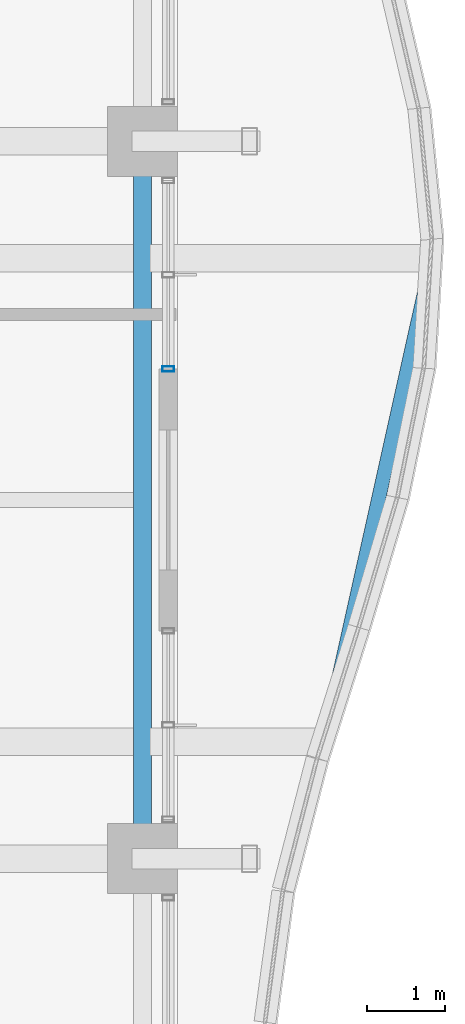
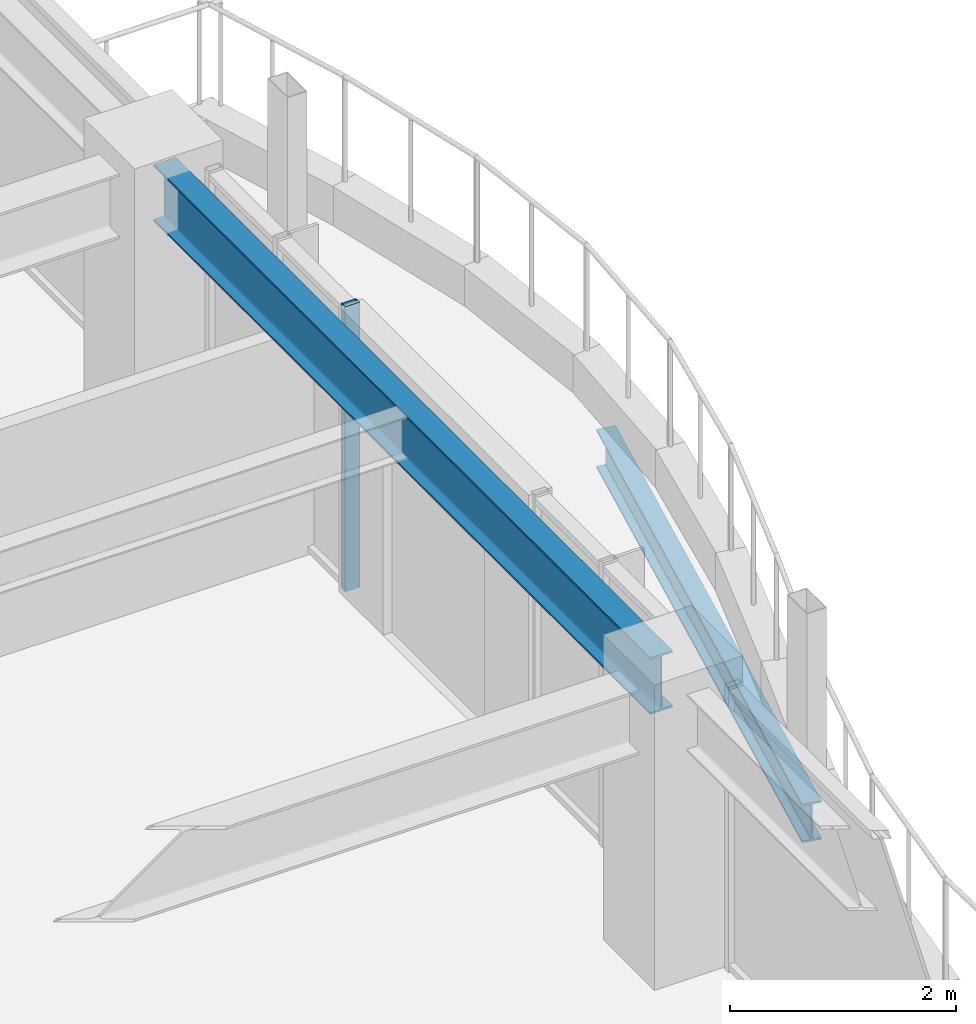
# One storey, part 14 of 35: 2 beams, 1 member, 1 element without a shape of its own.
"""IFC4 building model written with IfcOpenShell, lengths in metres."""

from ifc_helpers import new_model, si_unit, direction, frame, origin, origin_2d, place, context, subcontext, project, spatial, hollow_rectangle, i_section, extrude, material, material_profile, profile_set, type_object, element, aggregate, save


model = new_model("IFC4")

# Units and contexts
model_context = context("Model", 3, precision=1e-05, world=origin(), true_north=direction((0.0, 1.0)))
body_context = subcontext(model_context, "Body", "Model", "MODEL_VIEW")
ifc_project = project(units=[si_unit("LENGTHUNIT", "METRE"), si_unit("AREAUNIT", "SQUARE_METRE"), si_unit("VOLUMEUNIT", "CUBIC_METRE"), si_unit("PLANEANGLEUNIT", "RADIAN"), si_unit("MASSUNIT", "GRAM", prefix="KILO")], contexts=[model_context])

# Site, building, storey
site_placement = place(None, origin())
site = spatial("IfcSite", under=ifc_project, at=site_placement, CompositionType="ELEMENT")
building_placement = place(site_placement, origin())
building = spatial("IfcBuilding", under=site, at=building_placement, Name="Kolvaren Belvedere", CompositionType="ELEMENT")
storey_placement = place(building_placement, frame((0.0, 0.0, 176.699951171875)))
storey = spatial("IfcBuildingStorey", under=building, at=storey_placement, Name="L51", CompositionType="ELEMENT", Elevation=176.699951171875)

# Beams
ifc_material_1 = material(Name="Structural steel ASTM A992 Grade 50", Category="steel")
ifc_material_profile_1 = material_profile(ifc_material_1, i_section(OverallWidth=0.180908203125, OverallDepth=0.4169921875, WebThickness=0.010986328125, FlangeThickness=0.018310546875, FilletRadius=0.013916015625, at=origin_2d()), Name="W16X57")
ifc_profile_set_1 = profile_set([ifc_material_profile_1], Name="Structural steel ASTM A992 Grade 50")
beam_type_1 = type_object("IfcBeamType", Name="BM-EDGE-W16X57", PredefinedType="BEAM", material=ifc_profile_set_1)
beam_1_placement = place(storey_placement, frame((22.315185546875, -2.96337890625, -0.428466796875), z_axis=(0.217173129084, 0.976133101582, 0.0), x_axis=(-0.976133101582, 0.217173129084, 0.0)))
element("IfcBeam", 1, at=beam_1_placement, inside=storey, type_object=beam_type_1, Name="L51 Balcony Tip Header Beam BAL-E", PredefinedType="BEAM", context=body_context, shape_type="SweptSolid", body=[
    extrude(i_section(OverallWidth=0.180908203125, OverallDepth=0.4169921875, WebThickness=0.010986328125, FlangeThickness=0.018310546875, FilletRadius=0.013916015625, at=origin_2d()), origin(), (0.0, 0.0, 1.0), 6.07177734375),
])
ifc_material_2 = material(Name="Structural steel ASTM A992 Grade 50", Category="steel")
ifc_material_profile_2 = material_profile(ifc_material_2, i_section(OverallWidth=0.22900390625, OverallDepth=0.612060546875, WebThickness=0.011962890625, FlangeThickness=0.01953125, FilletRadius=0.01806640625, at=origin_2d()), Name="W24X84")
ifc_profile_set_2 = profile_set([ifc_material_profile_2], Name="Structural steel ASTM A992 Grade 50")
beam_type_2 = type_object("IfcBeamType", Name="BM-SPAN-W24X84", PredefinedType="SPANDREL", material=ifc_profile_set_2)
beam_2_placement = place(storey_placement, frame((19.949951171875, -4.3974609375, 2.774169921875), z_axis=(0.0, 1.0, 0.0), x_axis=(-1.0, 0.0, 0.0)))
element("IfcBeam", 2, at=beam_2_placement, inside=storey, type_object=beam_type_2, Name="L51 Perimeter Spandrel E2-E3", PredefinedType="SPANDREL", context=body_context, shape_type="SweptSolid", body=[
    extrude(i_section(OverallWidth=0.22900390625, OverallDepth=0.612060546875, WebThickness=0.011962890625, FlangeThickness=0.01953125, FilletRadius=0.01806640625, at=origin_2d()), origin(), (0.0, 0.0, 1.0), 8.794921875),
])

# Curtain wall, member
ifc_material_3 = material(Name="Anodised pale-metal aluminium AA 6063-T6", Category="aluminium")
curtain_wall_type = type_object("IfcCurtainWallType", Name="CW-Z5-HIGH", PredefinedType="NOTDEFINED", material=ifc_material_3)
curtain_wall_placement = place(storey_placement, origin())
curtain_wall = element("IfcCurtainWall", 3, at=curtain_wall_placement, inside=storey, type_object=curtain_wall_type, Name="L51 Unitised Curtain Wall FCW-L51-E1-B2", PredefinedType="NOTDEFINED")
ifc_material_4 = material(Name="Anodised pale-metal aluminium AA 6063-T6", Category="aluminium")
ifc_material_profile_3 = material_profile(ifc_material_4, hollow_rectangle(XDim=0.070068359375, YDim=0.14990234375, WallThickness=0.004150390625, at=origin_2d()), Name="ALU-MUL-150X70")
ifc_profile_set_3 = profile_set([ifc_material_profile_3], Name="Anodised pale-metal aluminium AA 6063-T6")
member_type = type_object("IfcMemberType", Name="CW-MUL-150", PredefinedType="MULLION", material=ifc_profile_set_3)
member_placement = place(storey_placement, frame((20.280029296875, 1.679931640625, 0.0), z_axis=(0.0, 0.0, 1.0), x_axis=(0.0, 1.0, 0.0)))
member = element("IfcMember", 4, at=member_placement, type_object=member_type, Name="FCW-L51-E1-B2 Unitised Mullion 3", PredefinedType="MULLION", context=body_context, shape_type="SweptSolid", body=[
    extrude(hollow_rectangle(XDim=0.070068359375, YDim=0.14990234375, WallThickness=0.004150390625, at=origin_2d()), origin(), (0.0, 0.0, 1.0), 3.080078125),
])
aggregate(curtain_wall, [member])

save(model, "model.ifc")
